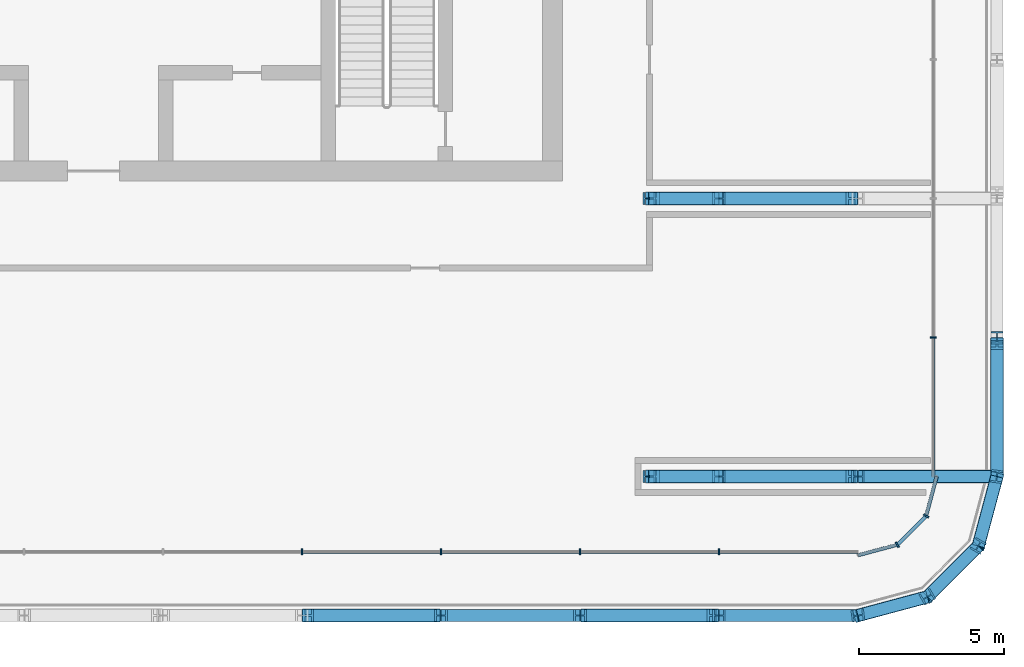
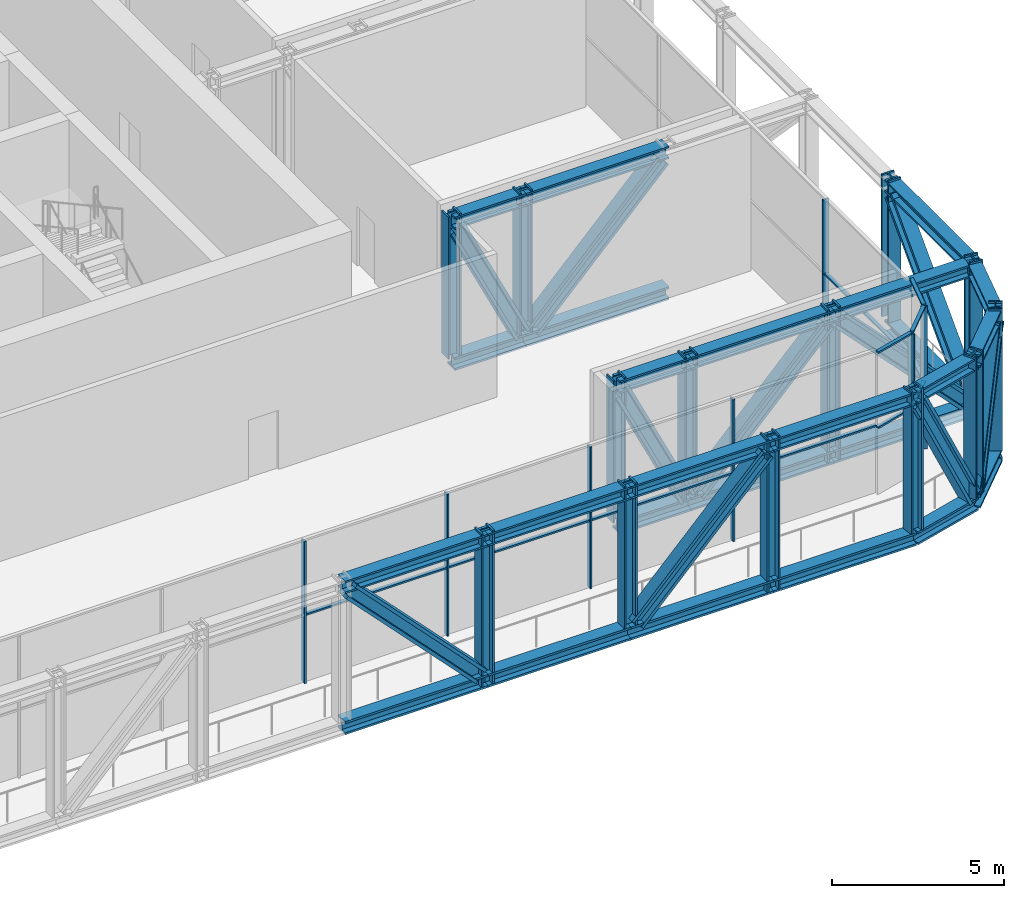
# One storey, part 8 of 30: 68 members, 3 elements without a shape of their own.
"""IFC4 building model written with IfcOpenShell, lengths in metres."""

from ifc_helpers import new_model, si_unit, direction, frame, origin, origin_2d, place, context, subcontext, project, spatial, rectangle, i_section, extrude, material, layer, layer_set, material_profile, profile_set, type_object, element, aggregate, save


model = new_model("IFC4")

# Units and contexts
model_context = context("Model", 3, precision=1e-05, world=origin(), true_north=direction((0.0, 1.0)))
body_context = subcontext(model_context, "Body", "Model", "MODEL_VIEW")
ifc_project = project(units=[si_unit("LENGTHUNIT", "METRE"), si_unit("AREAUNIT", "SQUARE_METRE"), si_unit("VOLUMEUNIT", "CUBIC_METRE"), si_unit("PLANEANGLEUNIT", "RADIAN"), si_unit("MASSUNIT", "GRAM", prefix="KILO")], contexts=[model_context])

# Site, building, storey
site_placement = place(None, origin())
site = spatial("IfcSite", under=ifc_project, at=site_placement, CompositionType="ELEMENT")
building_placement = place(site_placement, origin())
building = spatial("IfcBuilding", under=site, at=building_placement, Name="Madar Terraces", CompositionType="ELEMENT")
storey_placement = place(building_placement, frame((0.0, 0.0, 173.5)))
storey = spatial("IfcBuildingStorey", under=building, at=storey_placement, Name="L45", CompositionType="ELEMENT", Elevation=173.5)

# Members
ifc_material_1 = material(Name="Steel ASTM A913 Grade 65", Category="steel")
ifc_material_profile_1 = material_profile(ifc_material_1, i_section(OverallWidth=0.421630859375, OverallDepth=0.46484375, WebThickness=0.044921875, FlangeThickness=0.072509765625, at=origin_2d()), Name="W14x398")
ifc_profile_set_1 = profile_set([ifc_material_profile_1], Name="Steel ASTM A913 Grade 65")
member_type_1 = type_object("IfcMemberType", Name="BC6 W14x398", PredefinedType="CHORD", material=ifc_profile_set_1)
for number, where, z_axis, x_axis, name in (
    (1, (38.39990234375, 0.0, -0.1875), (1.0, 0.0, 0.0), (0.0, 1.0, 0.0), "Exoskeleton truss ring bottom chord BC6"),
    (2, (43.199951171875, 0.0, -0.1875), (1.0, 0.0, 0.0), (0.0, 1.0, 0.0), "Exoskeleton truss ring bottom chord BC6"),
    (3, (48.0, 0.0, -0.1875), (1.0, 0.0, 0.0), (0.0, 1.0, 0.0), "Exoskeleton truss ring bottom chord BC6"),
    (4, (52.800048828125, 0.0, -0.1875), (1.0, 0.0, 0.0), (0.0, 1.0, 0.0), "Exoskeleton truss ring bottom chord BC6"),
):
    element("IfcMember", number, at=place(storey_placement, frame(where, z_axis=z_axis, x_axis=x_axis)), inside=storey, type_object=member_type_1, Name=name, PredefinedType="CHORD", context=body_context, shape_type="SweptSolid", body=[
        extrude(i_section(OverallWidth=0.421630859375, OverallDepth=0.46484375, WebThickness=0.044921875, FlangeThickness=0.072509765625, at=origin_2d()), origin(), (0.0, 0.0, 1.0), 4.800048828125),
    ])
for number, where, z_axis, x_axis, name in (
    (5, (57.60009765625, 0.0, -0.1875), (0.965924366126, 0.258824494443, 0.0), (-0.258824494443, 0.965924366126, 0.0), "Exoskeleton truss ring bottom chord BC6"),
    (6, (60.0, 0.64306640625, -0.1875), (0.707106781187, 0.707106781187, 0.0), (-0.707106781187, 0.707106781187, 0.0), "Exoskeleton truss ring bottom chord BC6"),
):
    element("IfcMember", number, at=place(storey_placement, frame(where, z_axis=z_axis, x_axis=x_axis)), inside=storey, type_object=member_type_1, Name=name, PredefinedType="CHORD", context=body_context, shape_type="SweptSolid", body=[
        extrude(i_section(OverallWidth=0.421630859375, OverallDepth=0.46484375, WebThickness=0.044921875, FlangeThickness=0.072509765625, at=origin_2d()), origin(), (0.0, 0.0, 1.0), 2.484619140625),
    ])
member_1_placement = place(storey_placement, frame((61.7568359375, 2.39990234375, -0.1875), z_axis=(0.258799930484, 0.965930947833, 0.0), x_axis=(-0.965930947833, 0.258799930484, 0.0)))
element("IfcMember", 7, at=member_1_placement, inside=storey, type_object=member_type_1, Name="Exoskeleton truss ring bottom chord BC6", PredefinedType="CHORD", context=body_context, shape_type="SweptSolid", body=[
    extrude(i_section(OverallWidth=0.421630859375, OverallDepth=0.46484375, WebThickness=0.044921875, FlangeThickness=0.072509765625, at=origin_2d()), origin(), (0.0, 0.0, 1.0), 2.48486328125),
])
member_2_placement = place(storey_placement, frame((62.39990234375, 4.800048828125, -0.1875), z_axis=(0.0, 1.0, 0.0), x_axis=(-1.0, 0.0, 0.0)))
element("IfcMember", 8, at=member_2_placement, inside=storey, type_object=member_type_1, Name="Exoskeleton truss ring bottom chord BC6", PredefinedType="CHORD", context=body_context, shape_type="SweptSolid", body=[
    extrude(i_section(OverallWidth=0.421630859375, OverallDepth=0.46484375, WebThickness=0.044921875, FlangeThickness=0.072509765625, at=origin_2d()), origin(), (0.0, 0.0, 1.0), 4.800048828125),
])
member_3_placement = place(storey_placement, frame((62.189208984375, 4.800048828125, -0.1875), z_axis=(-1.0, 0.0, 0.0), x_axis=(0.0, -1.0, 0.0)))
element("IfcMember", 9, at=member_3_placement, inside=storey, type_object=member_type_1, Name="Exoskeleton truss cross E4.8 bottom chord BC6", PredefinedType="CHORD", context=body_context, shape_type="SweptSolid", body=[
    extrude(i_section(OverallWidth=0.421630859375, OverallDepth=0.46484375, WebThickness=0.044921875, FlangeThickness=0.072509765625, at=origin_2d()), origin(), (0.0, 0.0, 1.0), 4.589111328125),
])
member_4_placement = place(storey_placement, frame((57.60009765625, 4.800048828125, -0.1875), z_axis=(-1.0, 0.0, 0.0), x_axis=(0.0, -1.0, 0.0)))
element("IfcMember", 10, at=member_4_placement, inside=storey, type_object=member_type_1, Name="Exoskeleton truss cross E4.8 bottom chord BC6", PredefinedType="CHORD", context=body_context, shape_type="SweptSolid", body=[
    extrude(i_section(OverallWidth=0.421630859375, OverallDepth=0.46484375, WebThickness=0.044921875, FlangeThickness=0.072509765625, at=origin_2d()), origin(), (0.0, 0.0, 1.0), 4.800048828125),
])
member_5_placement = place(storey_placement, frame((52.800048828125, 4.800048828125, -0.1875), z_axis=(-1.0, 0.0, 0.0), x_axis=(0.0, -1.0, 0.0)))
element("IfcMember", 11, at=member_5_placement, inside=storey, type_object=member_type_1, Name="Exoskeleton truss cross E4.8 bottom chord BC6", PredefinedType="CHORD", context=body_context, shape_type="SweptSolid", body=[
    extrude(i_section(OverallWidth=0.421630859375, OverallDepth=0.46484375, WebThickness=0.044921875, FlangeThickness=0.072509765625, at=origin_2d()), origin(), (0.0, 0.0, 1.0), 2.400146484375),
])
member_6_placement = place(storey_placement, frame((57.60009765625, 14.39990234375, -0.1875), z_axis=(-1.0, 0.0, 0.0), x_axis=(0.0, -1.0, 0.0)))
element("IfcMember", 12, at=member_6_placement, inside=storey, type_object=member_type_1, Name="Exoskeleton truss cross E14.4 bottom chord BC6", PredefinedType="CHORD", context=body_context, shape_type="SweptSolid", body=[
    extrude(i_section(OverallWidth=0.421630859375, OverallDepth=0.46484375, WebThickness=0.044921875, FlangeThickness=0.072509765625, at=origin_2d()), origin(), (0.0, 0.0, 1.0), 4.800048828125),
])
member_7_placement = place(storey_placement, frame((52.800048828125, 14.39990234375, -0.1875), z_axis=(-1.0, 0.0, 0.0), x_axis=(0.0, -1.0, 0.0)))
element("IfcMember", 13, at=member_7_placement, inside=storey, type_object=member_type_1, Name="Exoskeleton truss cross E14.4 bottom chord BC6", PredefinedType="CHORD", context=body_context, shape_type="SweptSolid", body=[
    extrude(i_section(OverallWidth=0.421630859375, OverallDepth=0.46484375, WebThickness=0.044921875, FlangeThickness=0.072509765625, at=origin_2d()), origin(), (0.0, 0.0, 1.0), 2.400146484375),
])

# Curtain wall, members
ifc_material_2 = material(Name="Glass, ceramic frit dark grey, with black aluminium frame", Category="aluminium")
ifc_layer = layer(ifc_material_2, 0.199951171875)
ifc_layer_set = layer_set([ifc_layer], Name="Facade curtain wall, tall glazing")
curtain_wall_type = type_object("IfcCurtainWallType", Name="Facade curtain wall, tall glazing", PredefinedType="NOTDEFINED", material=ifc_layer_set)
curtain_wall_1_placement = place(storey_placement, origin())
curtain_wall_1 = element("IfcCurtainWall", 14, at=curtain_wall_1_placement, inside=storey, type_object=curtain_wall_type, Name="Outer skin curtain wall south bay 1", PredefinedType="NOTDEFINED")
ifc_material_3 = material(Name="Aluminium, black anodised", Category="aluminium")
ifc_material_profile_2 = material_profile(ifc_material_3, rectangle(XDim=0.199951171875, YDim=0.06005859375, at=origin_2d()), Name="Facade mullion 60x200")
ifc_profile_set_2 = profile_set([ifc_material_profile_2], Name="Aluminium, black anodised")
member_type_2 = type_object("IfcMemberType", Name="Facade mullion 60x200", PredefinedType="MULLION", material=ifc_profile_set_2)
member_8_placement = place(storey_placement, frame((38.39990234375, 2.199951171875, 0.0), z_axis=(0.0, 0.0, 1.0), x_axis=(0.0, 1.0, 0.0)))
member_8 = element("IfcMember", 15, at=member_8_placement, type_object=member_type_2, Name="Mullion 6", PredefinedType="MULLION", context=body_context, shape_type="SweptSolid", body=[
    extrude(rectangle(XDim=0.199951171875, YDim=0.06005859375, at=origin_2d()), origin(), (0.0, 0.0, 1.0), 5.0400390625),
])
member_9_placement = place(storey_placement, frame((43.199951171875, 2.199951171875, 0.0), z_axis=(0.0, 0.0, 1.0), x_axis=(0.0, 1.0, 0.0)))
member_9 = element("IfcMember", 16, at=member_9_placement, type_object=member_type_2, Name="Mullion 7", PredefinedType="MULLION", context=body_context, shape_type="SweptSolid", body=[
    extrude(rectangle(XDim=0.199951171875, YDim=0.06005859375, at=origin_2d()), origin(), (0.0, 0.0, 1.0), 5.0400390625),
])
member_10_placement = place(storey_placement, frame((48.0, 2.199951171875, 0.0), z_axis=(0.0, 0.0, 1.0), x_axis=(0.0, 1.0, 0.0)))
member_10 = element("IfcMember", 17, at=member_10_placement, type_object=member_type_2, Name="Mullion 8", PredefinedType="MULLION", context=body_context, shape_type="SweptSolid", body=[
    extrude(rectangle(XDim=0.199951171875, YDim=0.06005859375, at=origin_2d()), origin(), (0.0, 0.0, 1.0), 5.0400390625),
])
member_11_placement = place(storey_placement, frame((52.800048828125, 2.199951171875, 0.0), z_axis=(0.0, 0.0, 1.0), x_axis=(0.0, 1.0, 0.0)))
member_11 = element("IfcMember", 18, at=member_11_placement, type_object=member_type_2, Name="Mullion 9", PredefinedType="MULLION", context=body_context, shape_type="SweptSolid", body=[
    extrude(rectangle(XDim=0.199951171875, YDim=0.06005859375, at=origin_2d()), origin(), (0.0, 0.0, 1.0), 5.0400390625),
])

# Curtain wall, member
curtain_wall_2_placement = place(storey_placement, origin())
curtain_wall_2 = element("IfcCurtainWall", 19, at=curtain_wall_2_placement, inside=storey, type_object=curtain_wall_type, Name="Outer skin curtain wall east bay 1", PredefinedType="NOTDEFINED")
member_12_placement = place(storey_placement, frame((60.199951171875, 9.60009765625, 0.0), z_axis=(0.0, 0.0, 1.0), x_axis=(-1.0, 0.0, 0.0)))
member_12 = element("IfcMember", 20, at=member_12_placement, type_object=member_type_2, Name="Mullion 1", PredefinedType="MULLION", context=body_context, shape_type="SweptSolid", body=[
    extrude(rectangle(XDim=0.199951171875, YDim=0.06005859375, at=origin_2d()), origin(), (0.0, 0.0, 1.0), 5.0400390625),
])

# Curtain wall, members
curtain_wall_3_placement = place(storey_placement, origin())
curtain_wall_3 = element("IfcCurtainWall", 21, at=curtain_wall_3_placement, inside=storey, type_object=curtain_wall_type, Name="Outer skin curtain wall south-east corner", PredefinedType="NOTDEFINED")
member_13_placement = place(storey_placement, frame((58.9599609375, 2.4443359375, 0.0), z_axis=(0.0, 0.0, 1.0), x_axis=(-0.500000029202, 0.866025386925, 0.0)))
member_13 = element("IfcMember", 22, at=member_13_placement, type_object=member_type_2, Name="Mullion 1", PredefinedType="MULLION", context=body_context, shape_type="SweptSolid", body=[
    extrude(rectangle(XDim=0.199951171875, YDim=0.06005859375, at=origin_2d()), origin(), (0.0, 0.0, 1.0), 5.0400390625),
])
member_14_placement = place(storey_placement, frame((59.95556640625, 3.43994140625, 0.0), z_axis=(0.0, 0.0, 1.0), x_axis=(-0.866025386925, 0.500000029202, 0.0)))
member_14 = element("IfcMember", 23, at=member_14_placement, type_object=member_type_2, Name="Mullion 2", PredefinedType="MULLION", context=body_context, shape_type="SweptSolid", body=[
    extrude(rectangle(XDim=0.199951171875, YDim=0.06005859375, at=origin_2d()), origin(), (0.0, 0.0, 1.0), 5.0400390625),
])

# Member
ifc_material_4 = material(Name="Aluminium, black anodised", Category="aluminium")
ifc_material_profile_3 = material_profile(ifc_material_4, rectangle(XDim=0.1201171875, YDim=0.06005859375, at=origin_2d()), Name="Facade transom 60x120")
ifc_profile_set_3 = profile_set([ifc_material_profile_3], Name="Aluminium, black anodised")
member_type_3 = type_object("IfcMemberType", Name="Facade transom 60x120", PredefinedType="USERDEFINED", material=ifc_profile_set_3)
member_15_placement = place(storey_placement, frame((38.429931640625, 2.199951171875, 2.39990234375), z_axis=(1.0, 0.0, 0.0), x_axis=(0.0, 1.0, 0.0)))
member_15 = element("IfcMember", 24, at=member_15_placement, type_object=member_type_3, Name="Transom 8", ObjectType="TRANSOM", PredefinedType="USERDEFINED", context=body_context, shape_type="SweptSolid", body=[
    extrude(rectangle(XDim=0.1201171875, YDim=0.06005859375, at=origin_2d()), origin(), (0.0, 0.0, 1.0), 4.739990234375),
])

member_16_placement = place(storey_placement, frame((43.22998046875, 2.199951171875, 2.39990234375), z_axis=(1.0, 0.0, 0.0), x_axis=(0.0, 1.0, 0.0)))
member_16 = element("IfcMember", 25, at=member_16_placement, type_object=member_type_3, Name="Transom 9", ObjectType="TRANSOM", PredefinedType="USERDEFINED", context=body_context, shape_type="SweptSolid", body=[
    extrude(rectangle(XDim=0.1201171875, YDim=0.06005859375, at=origin_2d()), origin(), (0.0, 0.0, 1.0), 4.739990234375),
])

member_17_placement = place(storey_placement, frame((48.030029296875, 2.199951171875, 2.39990234375), z_axis=(1.0, 0.0, 0.0), x_axis=(0.0, 1.0, 0.0)))
member_17 = element("IfcMember", 26, at=member_17_placement, type_object=member_type_3, Name="Transom 10", ObjectType="TRANSOM", PredefinedType="USERDEFINED", context=body_context, shape_type="SweptSolid", body=[
    extrude(rectangle(XDim=0.1201171875, YDim=0.06005859375, at=origin_2d()), origin(), (0.0, 0.0, 1.0), 4.739990234375),
])

member_18_placement = place(storey_placement, frame((52.830078125, 2.199951171875, 2.39990234375), z_axis=(1.0, 0.0, 0.0), x_axis=(0.0, 1.0, 0.0)))
member_18 = element("IfcMember", 27, at=member_18_placement, type_object=member_type_3, Name="Transom 11", ObjectType="TRANSOM", PredefinedType="USERDEFINED", context=body_context, shape_type="SweptSolid", body=[
    extrude(rectangle(XDim=0.1201171875, YDim=0.06005859375, at=origin_2d()), origin(), (0.0, 0.0, 1.0), 4.77001953125),
])

aggregate(curtain_wall_1, [member_8, member_9, member_10, member_11, member_15, member_16, member_17, member_18])

member_19_placement = place(storey_placement, frame((60.199951171875, 4.800048828125, 2.39990234375), z_axis=(0.0, 1.0, 0.0), x_axis=(-1.0, 0.0, 0.0)))
member_19 = element("IfcMember", 28, at=member_19_placement, type_object=member_type_3, Name="Transom 2", ObjectType="TRANSOM", PredefinedType="USERDEFINED", context=body_context, shape_type="SweptSolid", body=[
    extrude(rectangle(XDim=0.1201171875, YDim=0.06005859375, at=origin_2d()), origin(), (0.0, 0.0, 1.0), 4.77001953125),
])

aggregate(curtain_wall_2, [member_12, member_19])

member_20_placement = place(storey_placement, frame((57.60009765625, 2.080078125, 5.070068359375), z_axis=(0.965907707525, 0.258886655787, 0.0), x_axis=(-0.258886655787, 0.965907707525, 0.0)))
member_20 = element("IfcMember", 29, at=member_20_placement, type_object=member_type_3, Name="Transom 1", ObjectType="TRANSOM", PredefinedType="USERDEFINED", context=body_context, shape_type="SweptSolid", body=[
    extrude(rectangle(XDim=0.1201171875, YDim=0.06005859375, at=origin_2d()), origin(), (0.0, 0.0, 1.0), 1.377685546875),
])

member_21_placement = place(storey_placement, frame((57.60009765625, 2.080078125, 2.39990234375), z_axis=(0.965907707525, 0.258886655787, 0.0), x_axis=(-0.258886655787, 0.965907707525, 0.0)))
member_21 = element("IfcMember", 30, at=member_21_placement, type_object=member_type_3, Name="Transom 2", ObjectType="TRANSOM", PredefinedType="USERDEFINED", context=body_context, shape_type="SweptSolid", body=[
    extrude(rectangle(XDim=0.1201171875, YDim=0.06005859375, at=origin_2d()), origin(), (0.0, 0.0, 1.0), 1.377685546875),
])

member_22_placement = place(storey_placement, frame((58.981201171875, 2.465576171875, 5.070068359375), z_axis=(0.707106781187, 0.707106781187, 0.0), x_axis=(-0.707106781187, 0.707106781187, 0.0)))
member_22 = element("IfcMember", 31, at=member_22_placement, type_object=member_type_3, Name="Transom 3", ObjectType="TRANSOM", PredefinedType="USERDEFINED", context=body_context, shape_type="SweptSolid", body=[
    extrude(rectangle(XDim=0.1201171875, YDim=0.06005859375, at=origin_2d()), origin(), (0.0, 0.0, 1.0), 1.347900390625),
])

member_23_placement = place(storey_placement, frame((58.981201171875, 2.465576171875, 2.39990234375), z_axis=(0.707106781187, 0.707106781187, 0.0), x_axis=(-0.707106781187, 0.707106781187, 0.0)))
member_23 = element("IfcMember", 32, at=member_23_placement, type_object=member_type_3, Name="Transom 4", ObjectType="TRANSOM", PredefinedType="USERDEFINED", context=body_context, shape_type="SweptSolid", body=[
    extrude(rectangle(XDim=0.1201171875, YDim=0.06005859375, at=origin_2d()), origin(), (0.0, 0.0, 1.0), 1.347900390625),
])

member_24_placement = place(storey_placement, frame((59.96337890625, 3.468994140625, 5.070068359375), z_axis=(0.258842352791, 0.965919580711, 0.0), x_axis=(-0.965919580711, 0.258842352791, 0.0)))
member_24 = element("IfcMember", 33, at=member_24_placement, type_object=member_type_3, Name="Transom 5", ObjectType="TRANSOM", PredefinedType="USERDEFINED", context=body_context, shape_type="SweptSolid", body=[
    extrude(rectangle(XDim=0.1201171875, YDim=0.06005859375, at=origin_2d()), origin(), (0.0, 0.0, 1.0), 1.3779296875),
])

member_25_placement = place(storey_placement, frame((59.96337890625, 3.468994140625, 2.39990234375), z_axis=(0.258842352791, 0.965919580711, 0.0), x_axis=(-0.965919580711, 0.258842352791, 0.0)))
member_25 = element("IfcMember", 34, at=member_25_placement, type_object=member_type_3, Name="Transom 6", ObjectType="TRANSOM", PredefinedType="USERDEFINED", context=body_context, shape_type="SweptSolid", body=[
    extrude(rectangle(XDim=0.1201171875, YDim=0.06005859375, at=origin_2d()), origin(), (0.0, 0.0, 1.0), 1.3779296875),
])

aggregate(curtain_wall_3, [member_13, member_20, member_21, member_14, member_22, member_23, member_24, member_25])

# Members
ifc_material_5 = material(Name="Steel ASTM A913 Grade 65", Category="steel")
ifc_material_profile_4 = material_profile(ifc_material_5, i_section(OverallWidth=0.41650390625, OverallDepth=0.444580078125, WebThickness=0.0390625, FlangeThickness=0.062744140625, at=origin_2d()), Name="W14x342")
ifc_profile_set_4 = profile_set([ifc_material_profile_4], Name="Steel ASTM A913 Grade 65")
member_type_4 = type_object("IfcMemberType", Name="TC6 W14x342", PredefinedType="CHORD", material=ifc_profile_set_4)
for number, where, z_axis, x_axis, name in (
    (35, (38.39990234375, 0.0, 4.807861328125), (1.0, 0.0, 0.0), (0.0, 1.0, 0.0), "Exoskeleton truss ring top chord TC6"),
    (36, (43.199951171875, 0.0, 4.807861328125), (1.0, 0.0, 0.0), (0.0, 1.0, 0.0), "Exoskeleton truss ring top chord TC6"),
    (37, (48.0, 0.0, 4.807861328125), (1.0, 0.0, 0.0), (0.0, 1.0, 0.0), "Exoskeleton truss ring top chord TC6"),
    (38, (52.800048828125, 0.0, 4.807861328125), (1.0, 0.0, 0.0), (0.0, 1.0, 0.0), "Exoskeleton truss ring top chord TC6"),
):
    element("IfcMember", number, at=place(storey_placement, frame(where, z_axis=z_axis, x_axis=x_axis)), inside=storey, type_object=member_type_4, Name=name, PredefinedType="CHORD", context=body_context, shape_type="SweptSolid", body=[
        extrude(i_section(OverallWidth=0.41650390625, OverallDepth=0.444580078125, WebThickness=0.0390625, FlangeThickness=0.062744140625, at=origin_2d()), origin(), (0.0, 0.0, 1.0), 4.800048828125),
    ])
for number, where, z_axis, x_axis, name in (
    (39, (57.60009765625, 0.0, 4.807861328125), (0.965924366126, 0.258824494443, 0.0), (-0.258824494443, 0.965924366126, 0.0), "Exoskeleton truss ring top chord TC6"),
    (40, (60.0, 0.64306640625, 4.807861328125), (0.707106781187, 0.707106781187, 0.0), (-0.707106781187, 0.707106781187, 0.0), "Exoskeleton truss ring top chord TC6"),
):
    element("IfcMember", number, at=place(storey_placement, frame(where, z_axis=z_axis, x_axis=x_axis)), inside=storey, type_object=member_type_4, Name=name, PredefinedType="CHORD", context=body_context, shape_type="SweptSolid", body=[
        extrude(i_section(OverallWidth=0.41650390625, OverallDepth=0.444580078125, WebThickness=0.0390625, FlangeThickness=0.062744140625, at=origin_2d()), origin(), (0.0, 0.0, 1.0), 2.484619140625),
    ])
member_26_placement = place(storey_placement, frame((61.7568359375, 2.39990234375, 4.807861328125), z_axis=(0.258799930484, 0.965930947833, 0.0), x_axis=(-0.965930947833, 0.258799930484, 0.0)))
element("IfcMember", 41, at=member_26_placement, inside=storey, type_object=member_type_4, Name="Exoskeleton truss ring top chord TC6", PredefinedType="CHORD", context=body_context, shape_type="SweptSolid", body=[
    extrude(i_section(OverallWidth=0.41650390625, OverallDepth=0.444580078125, WebThickness=0.0390625, FlangeThickness=0.062744140625, at=origin_2d()), origin(), (0.0, 0.0, 1.0), 2.48486328125),
])
member_27_placement = place(storey_placement, frame((62.39990234375, 4.800048828125, 4.807861328125), z_axis=(0.0, 1.0, 0.0), x_axis=(-1.0, 0.0, 0.0)))
element("IfcMember", 42, at=member_27_placement, inside=storey, type_object=member_type_4, Name="Exoskeleton truss ring top chord TC6", PredefinedType="CHORD", context=body_context, shape_type="SweptSolid", body=[
    extrude(i_section(OverallWidth=0.41650390625, OverallDepth=0.444580078125, WebThickness=0.0390625, FlangeThickness=0.062744140625, at=origin_2d()), origin(), (0.0, 0.0, 1.0), 4.800048828125),
])
member_28_placement = place(storey_placement, frame((62.191650390625, 4.800048828125, 4.807861328125), z_axis=(-1.0, 0.0, 0.0), x_axis=(0.0, -1.0, 0.0)))
element("IfcMember", 43, at=member_28_placement, inside=storey, type_object=member_type_4, Name="Exoskeleton truss cross E4.8 top chord TC6", PredefinedType="CHORD", context=body_context, shape_type="SweptSolid", body=[
    extrude(i_section(OverallWidth=0.41650390625, OverallDepth=0.444580078125, WebThickness=0.0390625, FlangeThickness=0.062744140625, at=origin_2d()), origin(), (0.0, 0.0, 1.0), 4.591552734375),
])
member_29_placement = place(storey_placement, frame((57.60009765625, 4.800048828125, 4.807861328125), z_axis=(-1.0, 0.0, 0.0), x_axis=(0.0, -1.0, 0.0)))
element("IfcMember", 44, at=member_29_placement, inside=storey, type_object=member_type_4, Name="Exoskeleton truss cross E4.8 top chord TC6", PredefinedType="CHORD", context=body_context, shape_type="SweptSolid", body=[
    extrude(i_section(OverallWidth=0.41650390625, OverallDepth=0.444580078125, WebThickness=0.0390625, FlangeThickness=0.062744140625, at=origin_2d()), origin(), (0.0, 0.0, 1.0), 4.800048828125),
])
member_30_placement = place(storey_placement, frame((52.800048828125, 4.800048828125, 4.807861328125), z_axis=(-1.0, 0.0, 0.0), x_axis=(0.0, -1.0, 0.0)))
element("IfcMember", 45, at=member_30_placement, inside=storey, type_object=member_type_4, Name="Exoskeleton truss cross E4.8 top chord TC6", PredefinedType="CHORD", context=body_context, shape_type="SweptSolid", body=[
    extrude(i_section(OverallWidth=0.41650390625, OverallDepth=0.444580078125, WebThickness=0.0390625, FlangeThickness=0.062744140625, at=origin_2d()), origin(), (0.0, 0.0, 1.0), 2.400146484375),
])
member_31_placement = place(storey_placement, frame((57.60009765625, 14.39990234375, 4.807861328125), z_axis=(-1.0, 0.0, 0.0), x_axis=(0.0, -1.0, 0.0)))
element("IfcMember", 46, at=member_31_placement, inside=storey, type_object=member_type_4, Name="Exoskeleton truss cross E14.4 top chord TC6", PredefinedType="CHORD", context=body_context, shape_type="SweptSolid", body=[
    extrude(i_section(OverallWidth=0.41650390625, OverallDepth=0.444580078125, WebThickness=0.0390625, FlangeThickness=0.062744140625, at=origin_2d()), origin(), (0.0, 0.0, 1.0), 4.800048828125),
])
member_32_placement = place(storey_placement, frame((52.800048828125, 14.39990234375, 4.807861328125), z_axis=(-1.0, 0.0, 0.0), x_axis=(0.0, -1.0, 0.0)))
element("IfcMember", 47, at=member_32_placement, inside=storey, type_object=member_type_4, Name="Exoskeleton truss cross E14.4 top chord TC6", PredefinedType="CHORD", context=body_context, shape_type="SweptSolid", body=[
    extrude(i_section(OverallWidth=0.41650390625, OverallDepth=0.444580078125, WebThickness=0.0390625, FlangeThickness=0.062744140625, at=origin_2d()), origin(), (0.0, 0.0, 1.0), 2.400146484375),
])
ifc_material_6 = material(Name="Steel ASTM A913 Grade 65", Category="steel")
ifc_material_profile_5 = material_profile(ifc_material_6, i_section(OverallWidth=0.44189453125, OverallDepth=0.53076171875, WebThickness=0.06591796875, FlangeThickness=0.105712890625, at=origin_2d()), Name="W14x605")
ifc_profile_set_5 = profile_set([ifc_material_profile_5], Name="Steel ASTM A913 Grade 65")
member_type_5 = type_object("IfcMemberType", Name="TD6 W14x605", PredefinedType="BRACE", material=ifc_profile_set_5)
for number, where, z_axis, x_axis, name in (
    (48, (38.613525390625, 0.0, 4.58544921875), (0.692873133915, 0.0, -0.721059512314), (0.0, 1.0, 0.0), "Exoskeleton truss ring diagonal TD6"),
    (49, (48.223388671875, 0.0, 0.044921875), (0.692873133915, 0.0, 0.721059512314), (0.0, 1.0, 0.0), "Exoskeleton truss ring diagonal TD6"),
):
    element("IfcMember", number, at=place(storey_placement, frame(where, z_axis=z_axis, x_axis=x_axis)), inside=storey, type_object=member_type_5, Name=name, PredefinedType="BRACE", context=body_context, shape_type="SweptSolid", body=[
        extrude(i_section(OverallWidth=0.44189453125, OverallDepth=0.53076171875, WebThickness=0.06591796875, FlangeThickness=0.105712890625, at=origin_2d()), origin(), (0.0, 0.0, 1.0), 6.297119140625),
    ])
member_33_placement = place(storey_placement, frame((57.706787109375, 0.028564453125, 4.58544921875), z_axis=(0.430198006163, 0.115252241132, -0.89534719322), x_axis=(-0.25877931008, 0.96593647238, 0.0)))
element("IfcMember", 50, at=member_33_placement, inside=storey, type_object=member_type_5, Name="Exoskeleton truss ring diagonal TD6", PredefinedType="BRACE", context=body_context, shape_type="SweptSolid", body=[
    extrude(i_section(OverallWidth=0.44189453125, OverallDepth=0.53076171875, WebThickness=0.06591796875, FlangeThickness=0.105712890625, at=origin_2d()), origin(), (0.0, 0.0, 1.0), 5.0712890625),
])
for number, where, z_axis, x_axis, name in (
    (51, (60.081787109375, 0.724853515625, 0.044921875), (0.314902720873, 0.314902720873, 0.895361688243), (-0.707106781187, 0.707106781187, 0.0), "Exoskeleton truss ring diagonal TD6"),
    (52, (61.78564453125, 2.5068359375, 4.58544921875), (0.115254628021, 0.4301587725, -0.895365735977), (-0.965929232481, 0.258806332687, 0.0), "Exoskeleton truss ring diagonal TD6"),
):
    element("IfcMember", number, at=place(storey_placement, frame(where, z_axis=z_axis, x_axis=x_axis)), inside=storey, type_object=member_type_5, Name=name, PredefinedType="BRACE", context=body_context, shape_type="SweptSolid", body=[
        extrude(i_section(OverallWidth=0.44189453125, OverallDepth=0.53076171875, WebThickness=0.06591796875, FlangeThickness=0.105712890625, at=origin_2d()), origin(), (0.0, 0.0, 1.0), 5.071044921875),
    ])
for number, where, z_axis, x_axis, name in (
    (53, (62.39990234375, 5.0234375, 0.044921875), (0.0, 0.692873133915, 0.721059512314), (-1.0, 0.0, 0.0), "Exoskeleton truss ring diagonal TD6"),
    (54, (62.1767578125, 4.800048828125, 0.044921875), (-0.692893291087, 0.0, 0.721040142549), (0.0, -1.0, 0.0), "Exoskeleton truss cross E4.8 diagonal TD6"),
    (55, (57.386474609375, 4.800048828125, 4.58544921875), (-0.692873133915, 0.0, -0.721059512314), (0.0, -1.0, 0.0), "Exoskeleton truss cross E4.8 diagonal TD6"),
):
    element("IfcMember", number, at=place(storey_placement, frame(where, z_axis=z_axis, x_axis=x_axis)), inside=storey, type_object=member_type_5, Name=name, PredefinedType="BRACE", context=body_context, shape_type="SweptSolid", body=[
        extrude(i_section(OverallWidth=0.44189453125, OverallDepth=0.53076171875, WebThickness=0.06591796875, FlangeThickness=0.105712890625, at=origin_2d()), origin(), (0.0, 0.0, 1.0), 6.297119140625),
    ])
member_34_placement = place(storey_placement, frame((52.688232421875, 4.800048828125, 0.044921875), z_axis=(-0.433044589969, 0.0, 0.901372499635), x_axis=(0.0, -1.0, 0.0)))
element("IfcMember", 56, at=member_34_placement, inside=storey, type_object=member_type_5, Name="Exoskeleton truss cross E4.8 diagonal TD6", PredefinedType="BRACE", context=body_context, shape_type="SweptSolid", body=[
    extrude(i_section(OverallWidth=0.44189453125, OverallDepth=0.53076171875, WebThickness=0.06591796875, FlangeThickness=0.105712890625, at=origin_2d()), origin(), (0.0, 0.0, 1.0), 5.037353515625),
])
member_35_placement = place(storey_placement, frame((57.386474609375, 14.39990234375, 4.58544921875), z_axis=(-0.692873133915, 0.0, -0.721059512314), x_axis=(0.0, -1.0, 0.0)))
element("IfcMember", 57, at=member_35_placement, inside=storey, type_object=member_type_5, Name="Exoskeleton truss cross E14.4 diagonal TD6", PredefinedType="BRACE", context=body_context, shape_type="SweptSolid", body=[
    extrude(i_section(OverallWidth=0.44189453125, OverallDepth=0.53076171875, WebThickness=0.06591796875, FlangeThickness=0.105712890625, at=origin_2d()), origin(), (0.0, 0.0, 1.0), 6.297119140625),
])
member_36_placement = place(storey_placement, frame((52.688232421875, 14.39990234375, 0.044921875), z_axis=(-0.433044589969, 0.0, 0.901372499635), x_axis=(0.0, -1.0, 0.0)))
element("IfcMember", 58, at=member_36_placement, inside=storey, type_object=member_type_5, Name="Exoskeleton truss cross E14.4 diagonal TD6", PredefinedType="BRACE", context=body_context, shape_type="SweptSolid", body=[
    extrude(i_section(OverallWidth=0.44189453125, OverallDepth=0.53076171875, WebThickness=0.06591796875, FlangeThickness=0.105712890625, at=origin_2d()), origin(), (0.0, 0.0, 1.0), 5.037353515625),
])
ifc_material_7 = material(Name="Steel ASTM A913 Grade 65", Category="steel")
ifc_material_profile_6 = material_profile(ifc_material_7, i_section(OverallWidth=0.411376953125, OverallDepth=0.434326171875, WebThickness=0.035888671875, FlangeThickness=0.057373046875, at=origin_2d()), Name="W14x311")
ifc_profile_set_6 = profile_set([ifc_material_profile_6], Name="Steel ASTM A913 Grade 65")
member_type_6 = type_object("IfcMemberType", Name="TV6 W14x311", PredefinedType="POST", material=ifc_profile_set_6)
member_37_placement = place(storey_placement, frame((43.199951171875, 0.0, -0.419921875), z_axis=(0.0, 0.0, 1.0), x_axis=(0.0, 1.0, 0.0)))
element("IfcMember", 59, at=member_37_placement, inside=storey, type_object=member_type_6, Name="Exoskeleton truss ring post TV6", PredefinedType="POST", context=body_context, shape_type="SweptSolid", body=[
    extrude(i_section(OverallWidth=0.411376953125, OverallDepth=0.434326171875, WebThickness=0.035888671875, FlangeThickness=0.057373046875, at=origin_2d()), origin(), (0.0, 0.0, 1.0), 5.52001953125),
])
member_38_placement = place(storey_placement, frame((48.0, 0.0, 0.044921875), z_axis=(0.0, 0.0, 1.0), x_axis=(0.0, 1.0, 0.0)))
element("IfcMember", 60, at=member_38_placement, inside=storey, type_object=member_type_6, Name="Exoskeleton truss ring post TV6", PredefinedType="POST", context=body_context, shape_type="SweptSolid", body=[
    extrude(i_section(OverallWidth=0.411376953125, OverallDepth=0.434326171875, WebThickness=0.035888671875, FlangeThickness=0.057373046875, at=origin_2d()), origin(), (0.0, 0.0, 1.0), 5.05517578125),
])
member_39_placement = place(storey_placement, frame((52.800048828125, 0.0, -0.419921875), z_axis=(0.0, 0.0, 1.0), x_axis=(0.0, 1.0, 0.0)))
element("IfcMember", 61, at=member_39_placement, inside=storey, type_object=member_type_6, Name="Exoskeleton truss ring post TV6", PredefinedType="POST", context=body_context, shape_type="SweptSolid", body=[
    extrude(i_section(OverallWidth=0.411376953125, OverallDepth=0.434326171875, WebThickness=0.035888671875, FlangeThickness=0.057373046875, at=origin_2d()), origin(), (0.0, 0.0, 1.0), 5.52001953125),
])
for number, where, z_axis, x_axis, name in (
    (62, (57.60009765625, 0.0, 0.044921875), (0.0, 0.0, 1.0), (-0.130526174916, 0.991444863652, 0.0), "Exoskeleton truss ring post TV6"),
    (63, (60.0, 0.64306640625, 0.044921875), (0.0, 0.0, 1.0), (-0.499999984885, 0.866025412511, 0.0), "Exoskeleton truss ring post TV6"),
    (64, (61.7568359375, 2.39990234375, 0.044921875), (0.0, 0.0, 1.0), (-0.866025412511, 0.499999984885, 0.0), "Exoskeleton truss ring post TV6"),
    (65, (62.39990234375, 4.800048828125, 0.044921875), (0.0, 0.0, 1.0), (-0.991444863652, 0.130526174916, 0.0), "Exoskeleton truss ring post TV6"),
    (66, (62.39990234375, 9.60009765625, 0.044921875), (0.0, 0.0, 1.0), (-1.0, 0.0, 0.0), "Exoskeleton truss ring post TV6"),
):
    element("IfcMember", number, at=place(storey_placement, frame(where, z_axis=z_axis, x_axis=x_axis)), inside=storey, type_object=member_type_6, Name=name, PredefinedType="POST", context=body_context, shape_type="SweptSolid", body=[
        extrude(i_section(OverallWidth=0.411376953125, OverallDepth=0.434326171875, WebThickness=0.035888671875, FlangeThickness=0.057373046875, at=origin_2d()), origin(), (0.0, 0.0, 1.0), 5.05517578125),
    ])
member_40_placement = place(storey_placement, frame((57.60009765625, 4.800048828125, -0.419921875), z_axis=(0.0, 0.0, 1.0), x_axis=(0.0, 1.0, 0.0)))
element("IfcMember", 67, at=member_40_placement, inside=storey, type_object=member_type_6, Name="Exoskeleton truss cross E4.8 post TV6", PredefinedType="POST", context=body_context, shape_type="SweptSolid", body=[
    extrude(i_section(OverallWidth=0.411376953125, OverallDepth=0.434326171875, WebThickness=0.035888671875, FlangeThickness=0.057373046875, at=origin_2d()), origin(), (0.0, 0.0, 1.0), 5.52001953125),
])
for number, where, z_axis, x_axis, name in (
    (68, (52.800048828125, 4.800048828125, 0.044921875), (0.0, 0.0, 1.0), (0.0, 1.0, 0.0), "Exoskeleton truss cross E4.8 post TV6"),
    (69, (50.39990234375, 4.800048828125, 0.044921875), (0.0, 0.0, 1.0), (0.0, 1.0, 0.0), "Exoskeleton truss cross E4.8 post TV6"),
    (70, (52.800048828125, 14.39990234375, 0.044921875), (0.0, 0.0, 1.0), (0.0, 1.0, 0.0), "Exoskeleton truss cross E14.4 post TV6"),
    (71, (50.39990234375, 14.39990234375, 0.044921875), (0.0, 0.0, 1.0), (0.0, 1.0, 0.0), "Exoskeleton truss cross E14.4 post TV6"),
):
    element("IfcMember", number, at=place(storey_placement, frame(where, z_axis=z_axis, x_axis=x_axis)), inside=storey, type_object=member_type_6, Name=name, PredefinedType="POST", context=body_context, shape_type="SweptSolid", body=[
        extrude(i_section(OverallWidth=0.411376953125, OverallDepth=0.434326171875, WebThickness=0.035888671875, FlangeThickness=0.057373046875, at=origin_2d()), origin(), (0.0, 0.0, 1.0), 5.05517578125),
    ])

save(model, "model.ifc")
